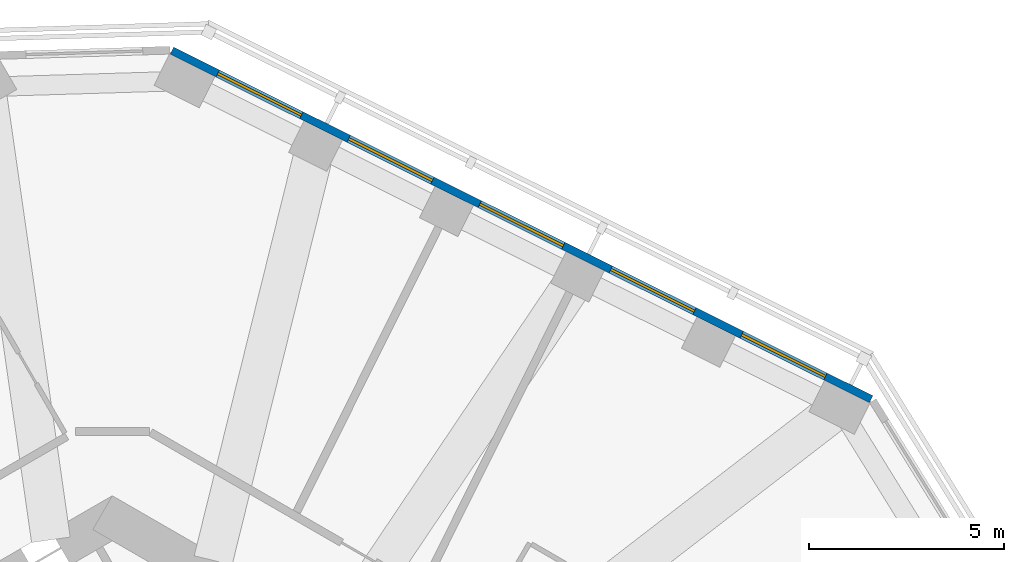
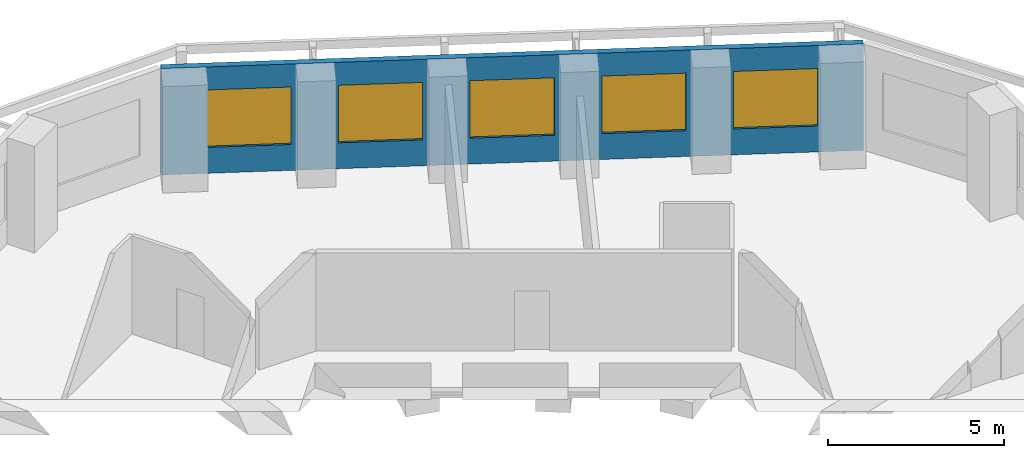
# One storey, part 8 of 11: 5 windows, 1 wall, 5 openings.
"""IFC4 building model written with IfcOpenShell, lengths in metres."""

from ifc_helpers import new_model, si_unit, direction, frame, frame_2d, origin, place, context, subcontext, project, spatial, rectangle, extrude, material, layer, layer_set, type_object, element, fill, save


model = new_model("IFC4")

# Units and contexts
model_context = context("Model", 3, precision=1e-05, world=origin(), true_north=direction((0.0, 1.0)))
body_context = subcontext(model_context, "Body", "Model", "MODEL_VIEW")
ifc_project = project(units=[si_unit("LENGTHUNIT", "METRE"), si_unit("AREAUNIT", "SQUARE_METRE"), si_unit("VOLUMEUNIT", "CUBIC_METRE"), si_unit("PLANEANGLEUNIT", "RADIAN"), si_unit("MASSUNIT", "GRAM", prefix="KILO")], contexts=[model_context])

# Site, building, storey
site_placement = place(None, origin())
site = spatial("IfcSite", under=ifc_project, at=site_placement, CompositionType="ELEMENT")
building_placement = place(site_placement, origin())
building = spatial("IfcBuilding", under=site, at=building_placement, Name="Vanh Sen Convention Tower", CompositionType="ELEMENT")
storey_placement = place(building_placement, frame((0.0, 0.0, 150.300048828125)))
storey = spatial("IfcBuildingStorey", under=building, at=storey_placement, Name="L36", CompositionType="ELEMENT", Elevation=150.300048828125)

# Wall, openings, windows
ifc_material_1 = material(Name="Insulated lightweight infill wall")
ifc_layer = layer(ifc_material_1, 0.199951171875)
ifc_layer_set = layer_set([ifc_layer], Name="Insulated lightweight infill wall")
wall_type = type_object("IfcWallType", Name="External wall 200", PredefinedType="STANDARD", material=ifc_layer_set)
wall_placement = place(storey_placement, frame((19.46435546875, 14.598876953125, 0.0), z_axis=(0.0, 0.0, 1.0), x_axis=(-0.894935755043, 0.446195018289, 0.0)))
wall = element("IfcWall", 1, at=wall_placement, inside=storey, type_object=wall_type, Name="External wall NE L36", PredefinedType="STANDARD", context=body_context, shape_type="SweptSolid", body=[
    extrude(rectangle(XDim=20.043701171875, YDim=0.199951171875, at=frame_2d((10.02197265625, 0.0))), origin(), (0.0, 0.0, 1.0), 3.699951171875),
])
opening_1_placement = place(wall_placement, frame((1.31298828125, 0.0, 0.89990234375)))
opening_1 = element("IfcOpeningElement", 2, at=opening_1_placement, cuts=wall, Name="Opening WO1-NE1", PredefinedType="OPENING", context=body_context, shape_type="SweptSolid", body=[
    extrude(rectangle(XDim=2.39990234375, YDim=2.0, at=frame_2d((1.199951171875, 1.0))), frame((0.0, 0.10986328125, 0.0), z_axis=(0.0, -1.0, 0.0), x_axis=(1.0, 0.0, 0.0)), (0.0, 0.0, 1.0), 0.219970703125),
])
opening_2_placement = place(wall_placement, frame((5.06689453125, 0.0, 0.89990234375)))
opening_2 = element("IfcOpeningElement", 3, at=opening_2_placement, cuts=wall, Name="Opening WO1-NE2", PredefinedType="OPENING", context=body_context, shape_type="SweptSolid", body=[
    extrude(rectangle(XDim=2.39990234375, YDim=2.0, at=frame_2d((1.199951171875, 1.0))), frame((0.0, 0.10986328125, 0.0), z_axis=(0.0, -1.0, 0.0), x_axis=(1.0, 0.0, 0.0)), (0.0, 0.0, 1.0), 0.219970703125),
])
opening_3_placement = place(wall_placement, frame((8.821044921875, 0.0, 0.89990234375)))
opening_3 = element("IfcOpeningElement", 4, at=opening_3_placement, cuts=wall, Name="Opening WO1-NE3", PredefinedType="OPENING", context=body_context, shape_type="SweptSolid", body=[
    extrude(rectangle(XDim=2.39990234375, YDim=2.0, at=frame_2d((1.199951171875, 1.0))), frame((0.0, 0.10986328125, 0.0), z_axis=(0.0, -1.0, 0.0), x_axis=(1.0, 0.0, 0.0)), (0.0, 0.0, 1.0), 0.219970703125),
])
opening_4_placement = place(wall_placement, frame((12.5751953125, 0.0, 0.89990234375)))
opening_4 = element("IfcOpeningElement", 5, at=opening_4_placement, cuts=wall, Name="Opening WO1-NE4", PredefinedType="OPENING", context=body_context, shape_type="SweptSolid", body=[
    extrude(rectangle(XDim=2.39990234375, YDim=2.0, at=frame_2d((1.199951171875, 1.0))), frame((0.0, 0.10986328125, 0.0), z_axis=(0.0, -1.0, 0.0), x_axis=(1.0, 0.0, 0.0)), (0.0, 0.0, 1.0), 0.219970703125),
])
opening_5_placement = place(wall_placement, frame((16.329345703125, 0.0, 0.89990234375)))
opening_5 = element("IfcOpeningElement", 6, at=opening_5_placement, cuts=wall, Name="Opening WO1-NE5", PredefinedType="OPENING", context=body_context, shape_type="SweptSolid", body=[
    extrude(rectangle(XDim=2.39990234375, YDim=2.0, at=frame_2d((1.199951171875, 1.0))), frame((0.0, 0.10986328125, 0.0), z_axis=(0.0, -1.0, 0.0), x_axis=(1.0, 0.0, 0.0)), (0.0, 0.0, 1.0), 0.219970703125),
])
ifc_material_2 = material(Name="Aluminium frame with clear low-emissivity glass", Category="aluminium")
window_type = type_object("IfcWindowType", Name="Office window 2400 x 2000", PartitioningType="SINGLE_PANEL", PredefinedType="WINDOW", material=ifc_material_2)
window_1_placement = place(opening_1_placement, origin())
window_1 = element("IfcWindow", 7, at=window_1_placement, inside=storey, type_object=window_type, Name="Window WO1-NE1", OverallHeight=2.0, OverallWidth=2.39990234375, PartitioningType="SINGLE_PANEL", PredefinedType="WINDOW", context=body_context, shape_type="SweptSolid", body=[
    extrude(rectangle(XDim=2.39990234375, YDim=2.0, at=frame_2d((1.199951171875, 1.0))), frame((0.0, 0.030029296875, 0.0), z_axis=(0.0, -1.0, 0.0), x_axis=(1.0, 0.0, 0.0)), (0.0, 0.0, 1.0), 0.06005859375),
])
fill(opening_1, window_1)
window_2_placement = place(opening_2_placement, origin())
window_2 = element("IfcWindow", 8, at=window_2_placement, inside=storey, type_object=window_type, Name="Window WO1-NE2", OverallHeight=2.0, OverallWidth=2.39990234375, PartitioningType="SINGLE_PANEL", PredefinedType="WINDOW", context=body_context, shape_type="SweptSolid", body=[
    extrude(rectangle(XDim=2.39990234375, YDim=2.0, at=frame_2d((1.199951171875, 1.0))), frame((0.0, 0.030029296875, 0.0), z_axis=(0.0, -1.0, 0.0), x_axis=(1.0, 0.0, 0.0)), (0.0, 0.0, 1.0), 0.06005859375),
])
fill(opening_2, window_2)
window_3_placement = place(opening_3_placement, origin())
window_3 = element("IfcWindow", 9, at=window_3_placement, inside=storey, type_object=window_type, Name="Window WO1-NE3", OverallHeight=2.0, OverallWidth=2.39990234375, PartitioningType="SINGLE_PANEL", PredefinedType="WINDOW", context=body_context, shape_type="SweptSolid", body=[
    extrude(rectangle(XDim=2.39990234375, YDim=2.0, at=frame_2d((1.199951171875, 1.0))), frame((0.0, 0.030029296875, 0.0), z_axis=(0.0, -1.0, 0.0), x_axis=(1.0, 0.0, 0.0)), (0.0, 0.0, 1.0), 0.06005859375),
])
fill(opening_3, window_3)
window_4_placement = place(opening_4_placement, origin())
window_4 = element("IfcWindow", 10, at=window_4_placement, inside=storey, type_object=window_type, Name="Window WO1-NE4", OverallHeight=2.0, OverallWidth=2.39990234375, PartitioningType="SINGLE_PANEL", PredefinedType="WINDOW", context=body_context, shape_type="SweptSolid", body=[
    extrude(rectangle(XDim=2.39990234375, YDim=2.0, at=frame_2d((1.199951171875, 1.0))), frame((0.0, 0.030029296875, 0.0), z_axis=(0.0, -1.0, 0.0), x_axis=(1.0, 0.0, 0.0)), (0.0, 0.0, 1.0), 0.06005859375),
])
fill(opening_4, window_4)
window_5_placement = place(opening_5_placement, origin())
window_5 = element("IfcWindow", 11, at=window_5_placement, inside=storey, type_object=window_type, Name="Window WO1-NE5", OverallHeight=2.0, OverallWidth=2.39990234375, PartitioningType="SINGLE_PANEL", PredefinedType="WINDOW", context=body_context, shape_type="SweptSolid", body=[
    extrude(rectangle(XDim=2.39990234375, YDim=2.0, at=frame_2d((1.199951171875, 1.0))), frame((0.0, 0.030029296875, 0.0), z_axis=(0.0, -1.0, 0.0), x_axis=(1.0, 0.0, 0.0)), (0.0, 0.0, 1.0), 0.06005859375),
])
fill(opening_5, window_5)

save(model, "model.ifc")
